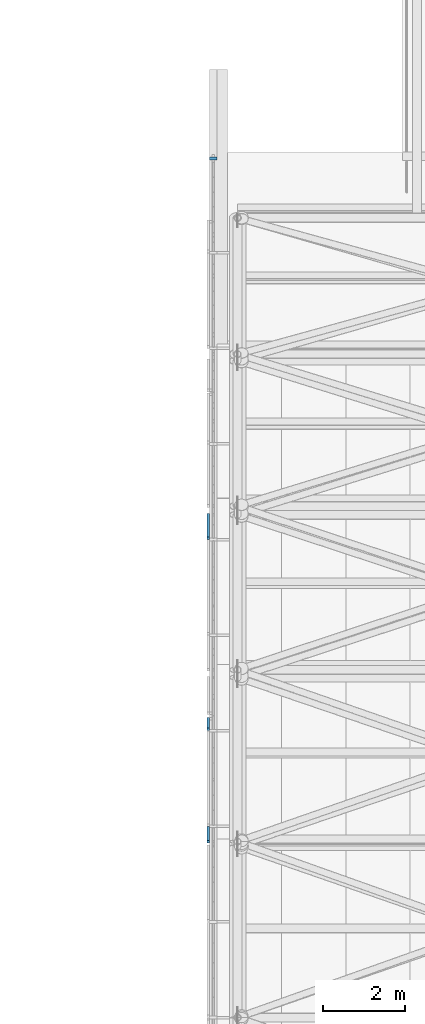
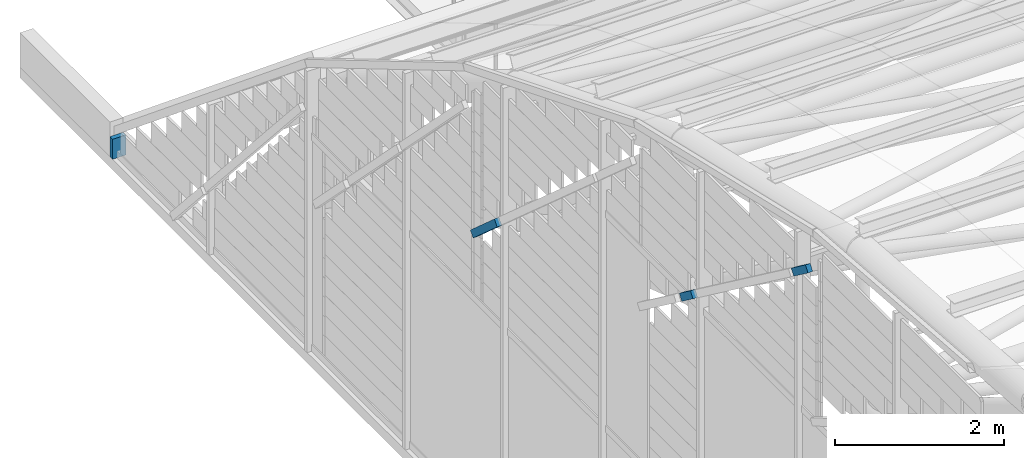
# One storey, part 46 of 110: 4 members, 1 element without a shape of its own.
"""IFC4 building model written with IfcOpenShell, lengths in metres."""

from ifc_helpers import new_model, si_unit, direction, frame, origin, origin_2d, place, context, subcontext, project, spatial, rectangle, extrude, material, layer, layer_set, material_profile, profile_set, type_object, element, aggregate, save


model = new_model("IFC4")

# Units and contexts
model_context = context("Model", 3, precision=1e-05, world=origin(), true_north=direction((0.0, 1.0)))
body_context = subcontext(model_context, "Body", "Model", "MODEL_VIEW")
ifc_project = project(units=[si_unit("LENGTHUNIT", "METRE"), si_unit("AREAUNIT", "SQUARE_METRE"), si_unit("VOLUMEUNIT", "CUBIC_METRE"), si_unit("PLANEANGLEUNIT", "RADIAN"), si_unit("MASSUNIT", "GRAM", prefix="KILO")], contexts=[model_context])

# Site, building, storey
site_placement = place(None, origin())
site = spatial("IfcSite", under=ifc_project, at=site_placement, CompositionType="ELEMENT")
building_placement = place(site_placement, origin())
building = spatial("IfcBuilding", under=site, at=building_placement, Name="Windward Yard Aquatics Centre", CompositionType="ELEMENT")
storey_placement = place(building_placement, frame((0.0, 0.0, 22.60009765625)))
storey = spatial("IfcBuildingStorey", under=building, at=storey_placement, Name="L05", CompositionType="ELEMENT", Elevation=22.60009765625)

# Curtain wall, members
ifc_material_1 = material(Name="Glass and aluminium curtain wall", Category="aluminium")
ifc_layer = layer(ifc_material_1, 0.179931640625)
ifc_layer_set = layer_set([ifc_layer], Name="H gable glazing system double glazed 8+16+8")
curtain_wall_type = type_object("IfcCurtainWallType", Name="H gable glazing system double glazed 8+16+8", PredefinedType="NOTDEFINED", material=ifc_layer_set)
curtain_wall_placement = place(storey_placement, origin())
curtain_wall = element("IfcCurtainWall", 1, at=curtain_wall_placement, inside=storey, type_object=curtain_wall_type, Name="Gable glazing W", PredefinedType="NOTDEFINED")
ifc_material_2 = material(Name="Aluminium 6063-T6 anodised", Category="aluminium")
ifc_material_profile_1 = material_profile(ifc_material_2, rectangle(XDim=0.06494140625, YDim=0.179931640625, at=origin_2d()), Name="H CW mullion 65x180")
ifc_profile_set_1 = profile_set([ifc_material_profile_1], Name="Aluminium 6063-T6 anodised")
member_type_1 = type_object("IfcMemberType", Name="H CW mullion 65x180", PredefinedType="MULLION", material=ifc_profile_set_1)
member_1_placement = place(storey_placement, frame((59.409912109375, 81.840576171875, 0.0), z_axis=(0.0, 0.0, 1.0), x_axis=(0.0, 1.0, 0.0)))
member_1 = element("IfcMember", 2, at=member_1_placement, type_object=member_type_1, Name="Gable mullion 19", PredefinedType="MULLION", context=body_context, shape_type="SweptSolid", body=[
    extrude(rectangle(XDim=0.06494140625, YDim=0.179931640625, at=origin_2d()), origin(), (0.0, 0.0, 1.0), 0.289794921875),
])
ifc_material_profile_2 = material_profile(ifc_material_2, rectangle(XDim=0.06494140625, YDim=0.10009765625, at=origin_2d()), Name="H CW transom 65x100")
ifc_profile_set_2 = profile_set([ifc_material_profile_2], Name="Aluminium 6063-T6 anodised")
member_type_2 = type_object("IfcMemberType", Name="H CW transom 65x100", PredefinedType="USERDEFINED", material=ifc_profile_set_2)
member_2_placement = place(storey_placement, frame((59.28759765625, 65.2685546875, 8.4697265625), z_axis=(0.0, 0.802362534733, -0.596836965055), x_axis=(-1.0, 0.0, 0.0)))
member_2 = element("IfcMember", 3, at=member_2_placement, type_object=member_type_2, Name="Gable cover strip 7.1", ObjectType="COVER STRIP", PredefinedType="USERDEFINED", context=body_context, shape_type="SweptSolid", body=[
    extrude(rectangle(XDim=0.06494140625, YDim=0.10009765625, at=origin_2d()), origin(), (0.0, 0.0, 1.0), 0.42041015625),
])
member_3_placement = place(storey_placement, frame((59.28759765625, 67.990234375, 6.445556640625), z_axis=(0.0, 0.802672555451, -0.596419960033), x_axis=(-1.0, 0.0, 0.0)))
member_3 = element("IfcMember", 4, at=member_3_placement, type_object=member_type_2, Name="Gable cover strip 7.3", ObjectType="COVER STRIP", PredefinedType="USERDEFINED", context=body_context, shape_type="SweptSolid", body=[
    extrude(rectangle(XDim=0.06494140625, YDim=0.10009765625, at=origin_2d()), origin(), (0.0, 0.0, 1.0), 0.327880859375),
])
member_4_placement = place(storey_placement, frame((59.28759765625, 72.628662109375, 4.670166015625), z_axis=(0.0, 0.748560831862, -0.663066121139), x_axis=(-1.0, 0.0, 0.0)))
member_4 = element("IfcMember", 5, at=member_4_placement, type_object=member_type_2, Name="Gable cover strip 8.3", ObjectType="COVER STRIP", PredefinedType="USERDEFINED", context=body_context, shape_type="SweptSolid", body=[
    extrude(rectangle(XDim=0.06494140625, YDim=0.10009765625, at=origin_2d()), origin(), (0.0, 0.0, 1.0), 0.759521484375),
])
aggregate(curtain_wall, [member_1, member_2, member_3, member_4])

save(model, "model.ifc")
